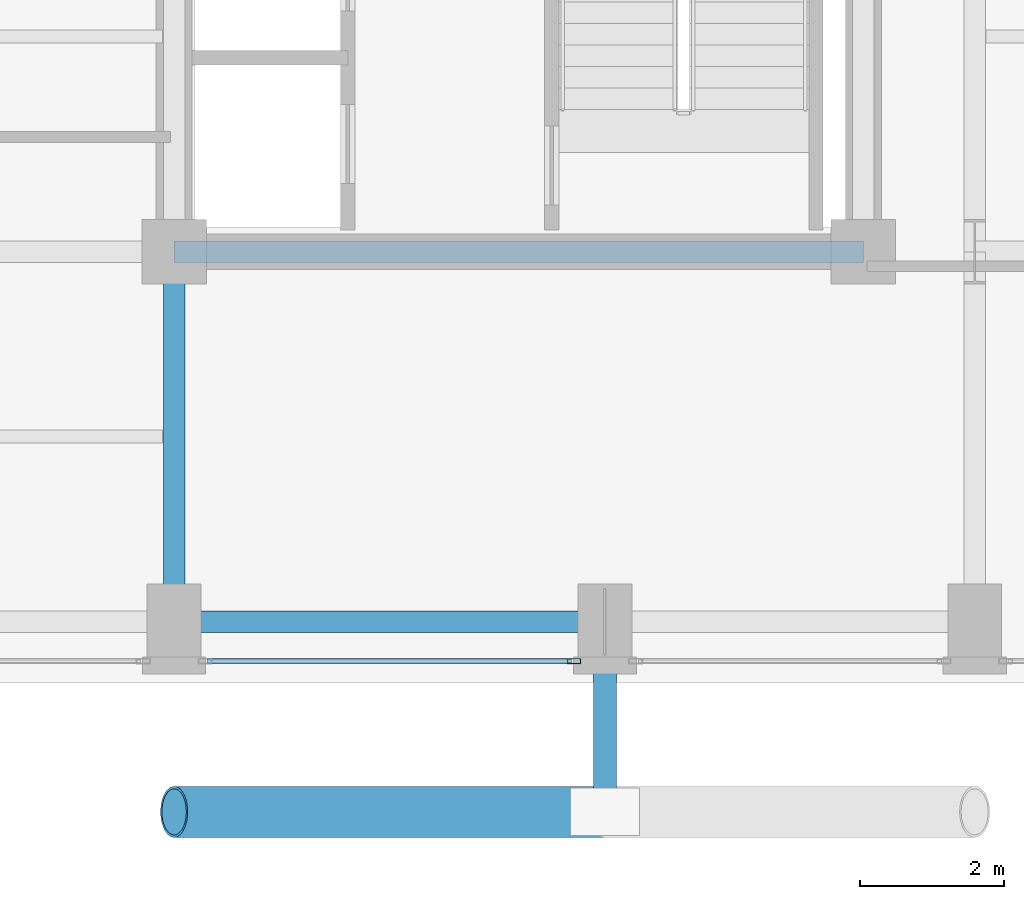
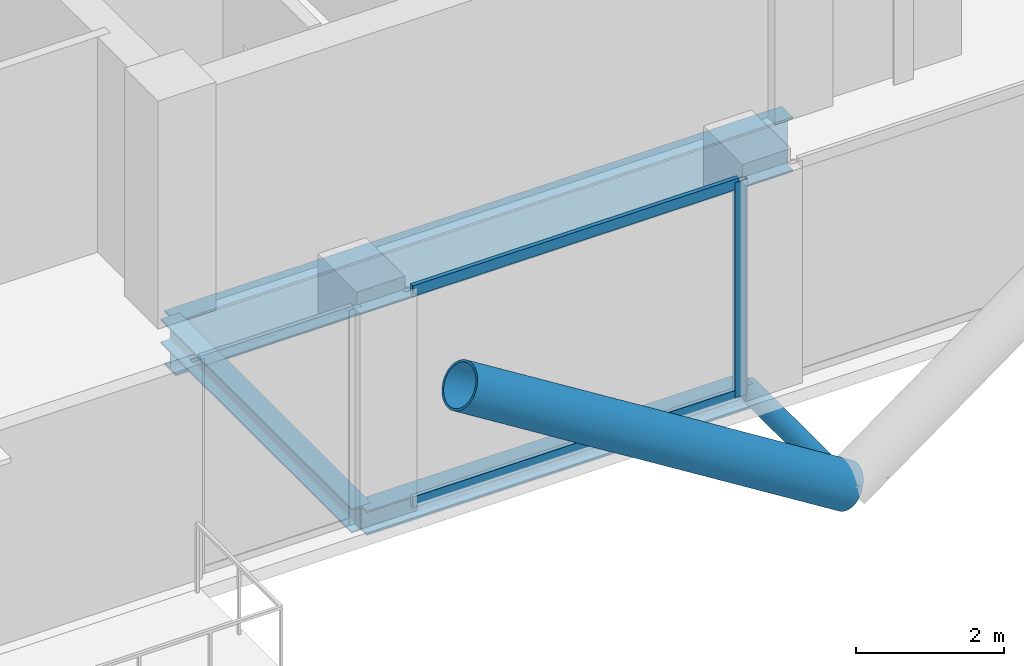
# One storey, part 5 of 21: 5 members, 3 beams, 1 element without a shape of its own.
"""IFC4 building model written with IfcOpenShell, lengths in metres."""

from ifc_helpers import new_model, si_unit, direction, frame, origin, origin_2d, place, context, subcontext, project, spatial, hollow_rectangle, hollow_circle, i_section, extrude, material, layer, layer_set, material_profile, profile_set, type_object, element, aggregate, save


model = new_model("IFC4")

# Units and contexts
model_context = context("Model", 3, precision=1e-05, world=origin(), true_north=direction((0.0, 1.0)))
body_context = subcontext(model_context, "Body", "Model", "MODEL_VIEW")
ifc_project = project(units=[si_unit("LENGTHUNIT", "METRE"), si_unit("AREAUNIT", "SQUARE_METRE"), si_unit("VOLUMEUNIT", "CUBIC_METRE"), si_unit("PLANEANGLEUNIT", "RADIAN"), si_unit("MASSUNIT", "GRAM", prefix="KILO"), si_unit("THERMODYNAMICTEMPERATUREUNIT", "KELVIN"), si_unit("POWERUNIT", "WATT")], contexts=[model_context])

# Site, building, storey
site_placement = place(None, origin())
site = spatial("IfcSite", under=ifc_project, at=site_placement, CompositionType="ELEMENT")
building_placement = place(site_placement, origin())
building = spatial("IfcBuilding", under=site, at=building_placement, Name="Svarakhadi Broadcast Tower", CompositionType="ELEMENT")
storey_placement = place(building_placement, frame((0.0, 0.0, 219.89990234375)))
storey = spatial("IfcBuildingStorey", under=building, at=storey_placement, Name="L54", CompositionType="ELEMENT", Elevation=219.89990234375)

# Curtain wall, members
ifc_material_1 = material(Name="Anodised Bronze Aluminium AA 6063-T6", Category="aluminium")
ifc_layer = layer(ifc_material_1, 0.18994140625)
ifc_layer_set = layer_set([ifc_layer], Name="Anodised Bronze Aluminium AA 6063-T6")
curtain_wall_type = type_object("IfcCurtainWallType", Name="CW_Sys_04", PredefinedType="NOTDEFINED", material=ifc_layer_set)
curtain_wall_placement = place(storey_placement, origin())
curtain_wall = element("IfcCurtainWall", 1, at=curtain_wall_placement, inside=storey, type_object=curtain_wall_type, Name="L54 South Curtain Wall 16 Bay 3", PredefinedType="NOTDEFINED")
ifc_material_profile_1 = material_profile(ifc_material_1, hollow_rectangle(XDim=0.070068359375, YDim=0.18994140625, WallThickness=0.005615234375, at=origin_2d()), Name="ALU MULLION 190x70x6")
ifc_profile_set_1 = profile_set([ifc_material_profile_1], Name="Anodised Bronze Aluminium AA 6063-T6")
member_type_1 = type_object("IfcMemberType", Name="CW_Sys_04_Mul", PredefinedType="MULLION", material=ifc_profile_set_1)
member_1_placement = place(storey_placement, frame((29.570068359375, 0.300048828125, 0.0), z_axis=(0.0, 0.0, 1.0), x_axis=(0.0, -1.0, 0.0)))
member_1 = element("IfcMember", 2, at=member_1_placement, type_object=member_type_1, Name="CW-04 mullion 1", PredefinedType="MULLION", context=body_context, shape_type="SweptSolid", body=[
    extrude(hollow_rectangle(XDim=0.070068359375, YDim=0.18994140625, WallThickness=0.005615234375, at=origin_2d()), origin(), (0.0, 0.0, 1.0), 3.5400390625),
])
ifc_material_profile_2 = material_profile(ifc_material_1, hollow_rectangle(XDim=0.06494140625, YDim=0.175048828125, WallThickness=0.0048828125, at=origin_2d()), Name="ALU TRANSOM 175x65x5")
ifc_profile_set_2 = profile_set([ifc_material_profile_2], Name="Anodised Bronze Aluminium AA 6063-T6")
member_type_2 = type_object("IfcMemberType", Name="CW_Sys_04_Trn", PredefinedType="USERDEFINED", material=ifc_profile_set_2)
member_2_placement = place(storey_placement, frame((29.534912109375, 0.300048828125, 0.03271484375), z_axis=(-1.0, 0.0, 0.0), x_axis=(0.0, -1.0, 0.0)))
member_2 = element("IfcMember", 3, at=member_2_placement, type_object=member_type_2, Name="CW-04 transom 1.1", ObjectType="TRANSOM", PredefinedType="USERDEFINED", context=body_context, shape_type="SweptSolid", body=[
    extrude(hollow_rectangle(XDim=0.06494140625, YDim=0.175048828125, WallThickness=0.0048828125, at=origin_2d()), origin(), (0.0, 0.0, 1.0), 5.06982421875),
])
member_3_placement = place(storey_placement, frame((29.534912109375, 0.300048828125, 3.507568359375), z_axis=(-1.0, 0.0, 0.0), x_axis=(0.0, -1.0, 0.0)))
member_3 = element("IfcMember", 4, at=member_3_placement, type_object=member_type_2, Name="CW-04 transom 1.2", ObjectType="TRANSOM", PredefinedType="USERDEFINED", context=body_context, shape_type="SweptSolid", body=[
    extrude(hollow_rectangle(XDim=0.06494140625, YDim=0.175048828125, WallThickness=0.0048828125, at=origin_2d()), origin(), (0.0, 0.0, 1.0), 5.06982421875),
])
aggregate(curtain_wall, [member_1, member_2, member_3])

# Members
ifc_material_2 = material(Name="Steel S460ML (IS 2062 E450BR)", Category="steel")
ifc_material_profile_3 = material_profile(ifc_material_2, hollow_circle(Radius=0.35546875, WallThickness=0.034912109375, at=origin_2d()), Name="CHS 711x35")
ifc_profile_set_3 = profile_set([ifc_material_profile_3], Name="Steel S460ML (IS 2062 E450BR)")
member_type_3 = type_object("IfcMemberType", Name="Exo_Brace_CHS711", PredefinedType="BRACE", material=ifc_profile_set_3)
member_4_placement = place(storey_placement, frame((30.0, -1.800048828125, -0.371826171875), z_axis=(-0.847998304005, 0.0, 0.529998940003), x_axis=(0.0, -1.0, 0.0)))
element("IfcMember", 5, at=member_4_placement, inside=storey, type_object=member_type_3, Name="L54 Exposed Bronze Exoskeleton Diagonal S01", PredefinedType="BRACE", context=body_context, shape_type="SweptSolid", body=[
    extrude(hollow_circle(Radius=0.35546875, WallThickness=0.034912109375, at=origin_2d()), origin(), (0.0, 0.0, 1.0), 7.075439453125),
])
ifc_material_profile_4 = material_profile(ifc_material_2, hollow_circle(Radius=0.161865234375, WallThickness=0.01611328125, at=origin_2d()), Name="CHS 323.9x16")
ifc_profile_set_4 = profile_set([ifc_material_profile_4], Name="Steel S460ML (IS 2062 E450BR)")
member_type_4 = type_object("IfcMemberType", Name="Exo_Radial_Strut_Z2", PredefinedType="STRUT", material=ifc_profile_set_4)
member_5_placement = place(storey_placement, frame((30.0, -1.800048828125, -0.371826171875), z_axis=(0.0, 1.0, 0.0), x_axis=(-1.0, 0.0, 0.0)))
element("IfcMember", 6, at=member_5_placement, inside=storey, type_object=member_type_4, Name="L54 Exoskeleton Radial Tie Strut S03", PredefinedType="STRUT", context=body_context, shape_type="SweptSolid", body=[
    extrude(hollow_circle(Radius=0.161865234375, WallThickness=0.01611328125, at=origin_2d()), origin(), (0.0, 0.0, 1.0), 2.650146484375),
])

# Beams
ifc_material_3 = material(Name="Steel S355J2 (IS 2062 E350C)", Category="steel")
ifc_material_profile_5 = material_profile(ifc_material_3, i_section(OverallWidth=0.300048828125, OverallDepth=0.39990234375, WebThickness=0.013427734375, FlangeThickness=0.02392578125, FilletRadius=0.027099609375, at=origin_2d()), Name="WPB 400x300x155")
ifc_profile_set_5 = profile_set([ifc_material_profile_5], Name="Steel S355J2 (IS 2062 E350C)")
beam_type_1 = type_object("IfcBeamType", Name="Girder_WPB400", PredefinedType="USERDEFINED", material=ifc_profile_set_5)
beam_1_placement = place(storey_placement, frame((24.0, 0.85009765625, -0.409912109375), z_axis=(1.0, 0.0, 0.0), x_axis=(0.0, 1.0, 0.0)))
element("IfcBeam", 7, at=beam_1_placement, inside=storey, type_object=beam_type_1, Name="L54 Primary E-W Girder G007", ObjectType="GIRDER", PredefinedType="USERDEFINED", context=body_context, shape_type="SweptSolid", body=[
    extrude(i_section(OverallWidth=0.300048828125, OverallDepth=0.39990234375, WebThickness=0.013427734375, FlangeThickness=0.02392578125, FilletRadius=0.027099609375, at=origin_2d()), origin(), (0.0, 0.0, 1.0), 6.0),
])
beam_2_placement = place(storey_placement, frame((24.0, 0.85009765625, -0.409912109375), z_axis=(0.0, 1.0, 0.0), x_axis=(-1.0, 0.0, 0.0)))
element("IfcBeam", 8, at=beam_2_placement, inside=storey, type_object=beam_type_1, Name="L54 Primary N-S Girder G051", ObjectType="GIRDER", PredefinedType="USERDEFINED", context=body_context, shape_type="SweptSolid", body=[
    extrude(i_section(OverallWidth=0.300048828125, OverallDepth=0.39990234375, WebThickness=0.013427734375, FlangeThickness=0.02392578125, FilletRadius=0.027099609375, at=origin_2d()), origin(), (0.0, 0.0, 1.0), 5.14990234375),
])
ifc_material_profile_6 = material_profile(ifc_material_2, i_section(OverallWidth=0.300048828125, OverallDepth=0.89990234375, WebThickness=0.0185546875, FlangeThickness=0.034912109375, FilletRadius=0.030029296875, at=origin_2d()), Name="WPB 900x300x291")
ifc_profile_set_6 = profile_set([ifc_material_profile_6], Name="Steel S460ML (IS 2062 E450BR)")
beam_type_2 = type_object("IfcBeamType", Name="Girder_WPB900", PredefinedType="USERDEFINED", material=ifc_profile_set_6)
beam_3_placement = place(storey_placement, frame((24.0, 6.0, -0.659912109375), z_axis=(1.0, 0.0, 0.0), x_axis=(0.0, 1.0, 0.0)))
element("IfcBeam", 9, at=beam_3_placement, inside=storey, type_object=beam_type_2, Name="L54 Primary E-W Girder G013", ObjectType="GIRDER", PredefinedType="USERDEFINED", context=body_context, shape_type="SweptSolid", body=[
    extrude(i_section(OverallWidth=0.300048828125, OverallDepth=0.89990234375, WebThickness=0.0185546875, FlangeThickness=0.034912109375, FilletRadius=0.030029296875, at=origin_2d()), origin(), (0.0, 0.0, 1.0), 9.60009765625),
])

save(model, "model.ifc")
